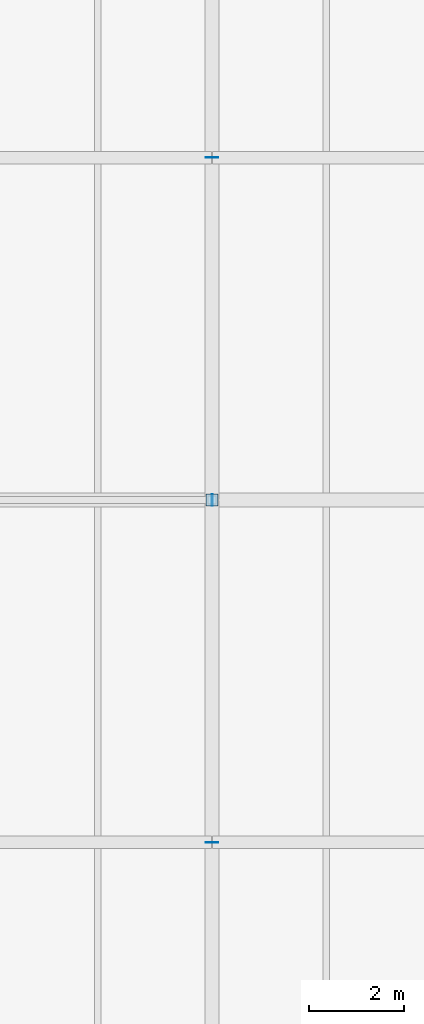
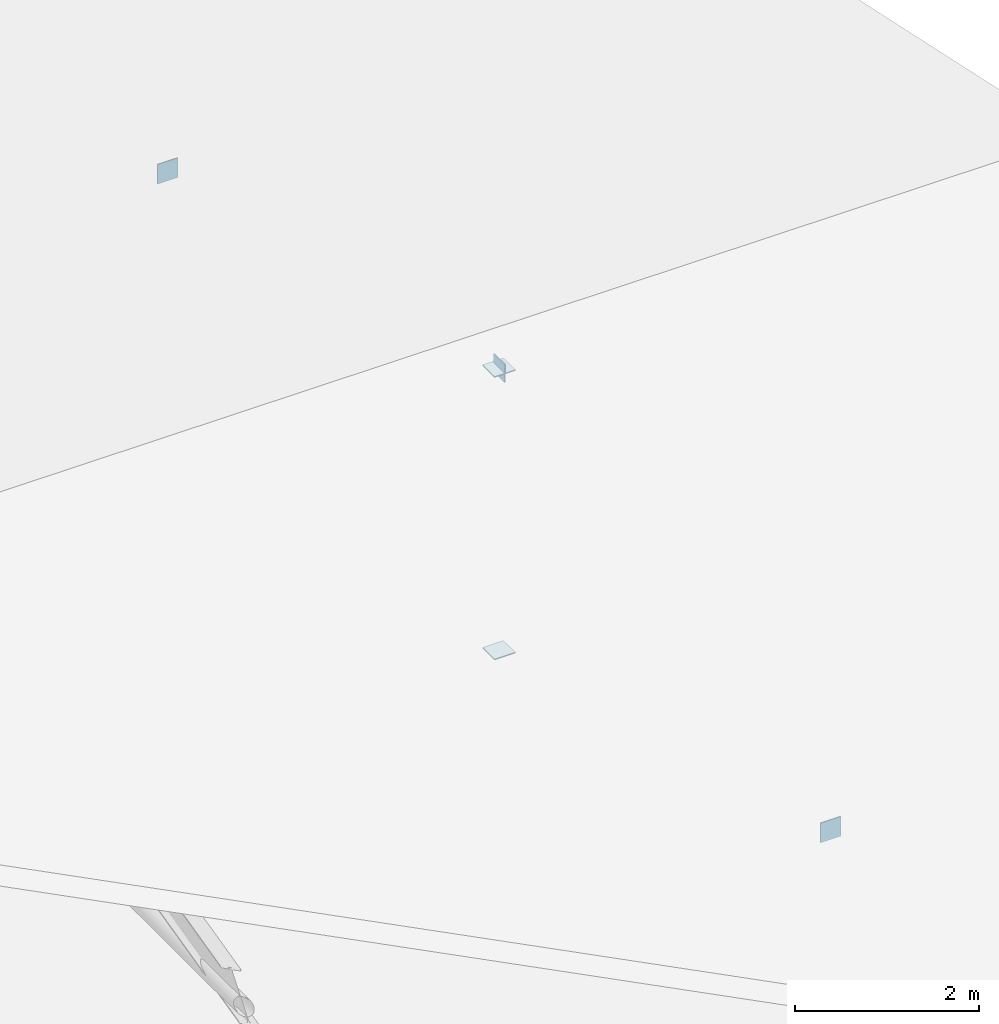
# One storey, part 42 of 66: 5 plates.
"""IFC4 building model written with IfcOpenShell, lengths in metres."""

from ifc_helpers import new_model, si_unit, direction, frame, origin, origin_2d, place, context, subcontext, project, spatial, rectangle, extrude, material, layer, layer_set, type_object, element, save


model = new_model("IFC4")

# Units and contexts
model_context = context("Model", 3, precision=1e-05, world=origin(), true_north=direction((0.0, 1.0)))
body_context = subcontext(model_context, "Body", "Model", "MODEL_VIEW")
ifc_project = project(units=[si_unit("LENGTHUNIT", "METRE"), si_unit("AREAUNIT", "SQUARE_METRE"), si_unit("VOLUMEUNIT", "CUBIC_METRE"), si_unit("PLANEANGLEUNIT", "RADIAN"), si_unit("MASSUNIT", "GRAM", prefix="KILO")], contexts=[model_context])

# Site, building, storey
site_placement = place(None, origin())
site = spatial("IfcSite", under=ifc_project, at=site_placement, CompositionType="ELEMENT")
building_placement = place(site_placement, origin())
building = spatial("IfcBuilding", under=site, at=building_placement, Name="Narikvali Park Central Library", CompositionType="ELEMENT")
storey_placement = place(building_placement, frame((0.0, 0.0, 18.60009765625)))
storey = spatial("IfcBuildingStorey", under=building, at=storey_placement, Name="L04", CompositionType="ELEMENT", Elevation=18.60009765625)

# Plates
ifc_material = material(Name="Steel S355", Category="steel")
ifc_layer = layer(ifc_material, 0.013916015625, Name="Steel S355")
ifc_layer_set = layer_set([ifc_layer], Name="Steel S355")
plate_type = type_object("IfcPlateType", Name="Steel Hollow End Cap Plate 14", PredefinedType="SHEET", material=ifc_layer_set)
plate_placement = place(storey_placement, frame((158.404052734375, 14.39990234375, 3.3798828125), z_axis=(0.0, 0.0, 1.0), x_axis=(1.0, 0.0, 0.0)))
element("IfcPlate", 1, at=plate_placement, inside=storey, type_object=plate_type, Name="Hollow Section Steel End Cap V6-RPCAP-E", PredefinedType="SHEET", context=body_context, shape_type="SweptSolid", body=[
    extrude(rectangle(XDim=0.013916015625, YDim=0.239990234375, at=origin_2d()), origin(), (0.0, 0.0, 1.0), 0.239990234375),
])
for number, where, z_axis, x_axis, name in (
    (2, (158.39990234375, 14.39990234375, -0.2509765625), (0.0, 0.0, 1.0), (1.0, 0.0, 0.0), "Hollow Section Steel End Cap V6-KPCAP-B-5"),
    (3, (158.39990234375, 14.39990234375, 3.4970703125), (0.0, 0.0, 1.0), (1.0, 0.0, 0.0), "Hollow Section Steel End Cap V6-KPCAP-T-5"),
):
    element("IfcPlate", number, at=place(storey_placement, frame(where, z_axis=z_axis, x_axis=x_axis)), inside=storey, type_object=plate_type, Name=name, PredefinedType="SHEET", context=body_context, shape_type="SweptSolid", body=[
        extrude(rectangle(XDim=0.260009765625, YDim=0.260009765625, at=origin_2d()), origin(), (0.0, 0.0, 1.0), 0.013916015625),
    ])
for number, where, z_axis, x_axis, name in (
    (4, (158.39990234375, 7.196044921875, 1.6201171875), (0.0, 0.0, 1.0), (-1.0, 0.0, 0.0), "Hollow Section Steel End Cap V6-CTCAP-S-5"),
    (5, (158.39990234375, 21.60400390625, 1.6201171875), (0.0, 0.0, 1.0), (1.0, 0.0, 0.0), "Hollow Section Steel End Cap V6-CTCAP-N-5"),
):
    element("IfcPlate", number, at=place(storey_placement, frame(where, z_axis=z_axis, x_axis=x_axis)), inside=storey, type_object=plate_type, Name=name, PredefinedType="SHEET", context=body_context, shape_type="SweptSolid", body=[
        extrude(rectangle(XDim=0.260009765625, YDim=0.013916015625, at=origin_2d()), origin(), (0.0, 0.0, 1.0), 0.260009765625),
    ])

save(model, "model.ifc")
